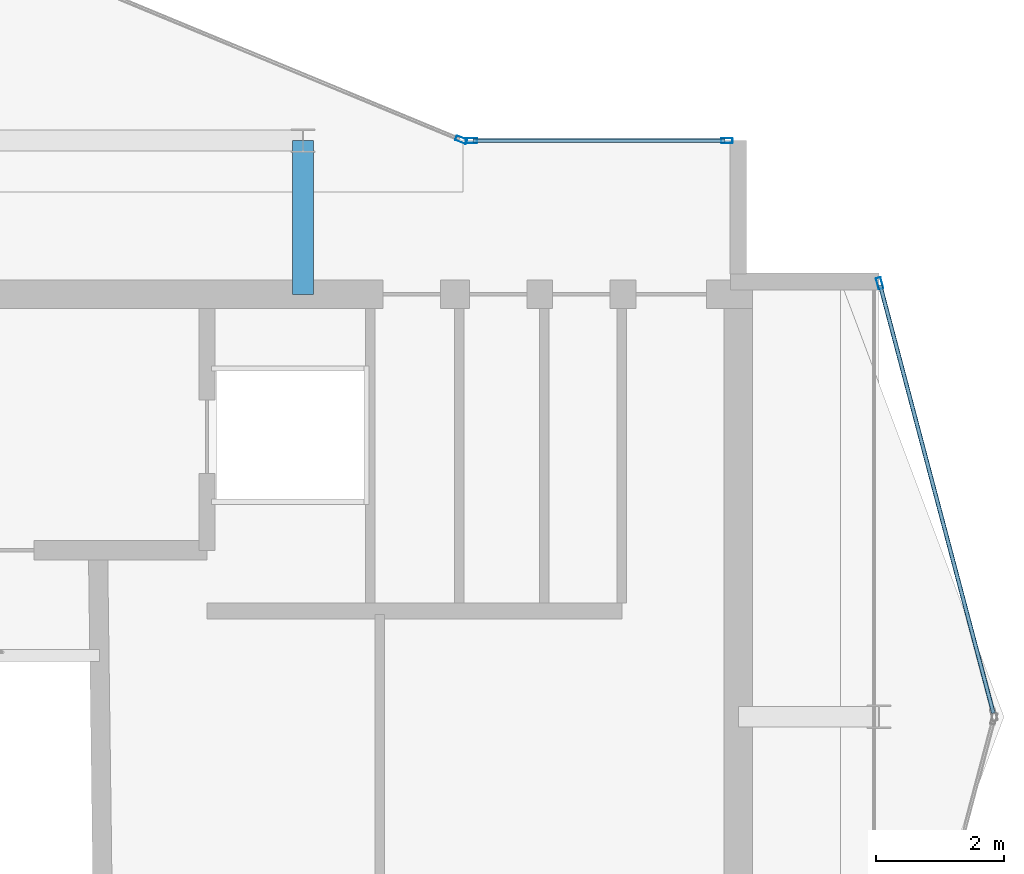
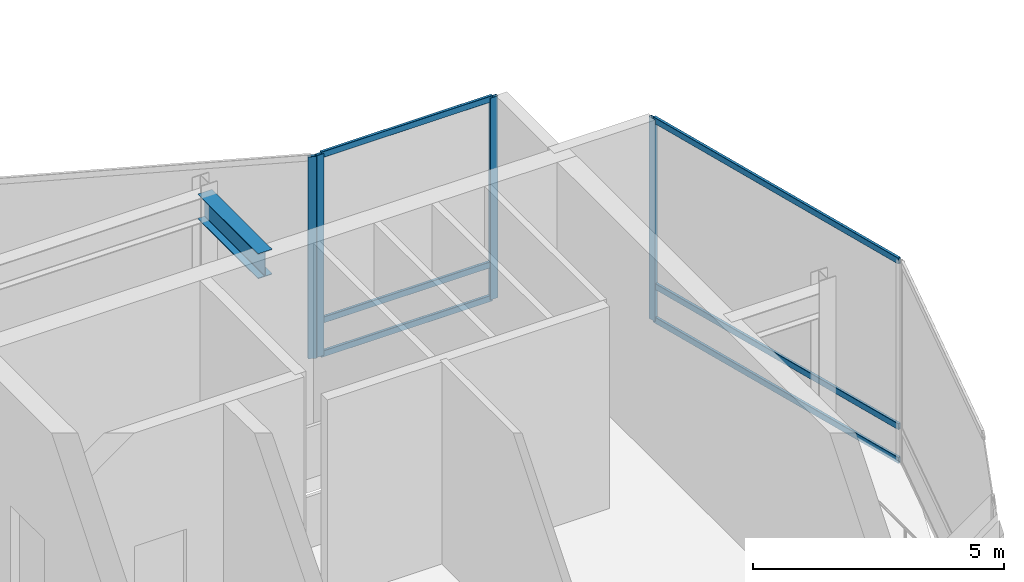
# One storey, part 12 of 19: 10 members, 1 beam, 3 elements without a shape of their own.
"""IFC4 building model written with IfcOpenShell, lengths in metres."""

from ifc_helpers import new_model, si_unit, direction, frame, origin, origin_2d, place, context, subcontext, project, spatial, hollow_rectangle, i_section, extrude, material, layer, layer_set, material_profile, profile_set, type_object, element, aggregate, save


model = new_model("IFC4")

# Units and contexts
model_context = context("Model", 3, precision=1e-05, world=origin(), true_north=direction((0.0, 1.0)))
body_context = subcontext(model_context, "Body", "Model", "MODEL_VIEW")
ifc_project = project(units=[si_unit("LENGTHUNIT", "METRE"), si_unit("AREAUNIT", "SQUARE_METRE"), si_unit("VOLUMEUNIT", "CUBIC_METRE"), si_unit("PLANEANGLEUNIT", "RADIAN"), si_unit("MASSUNIT", "GRAM", prefix="KILO")], contexts=[model_context])

# Site, building, storey
site_placement = place(None, origin())
site = spatial("IfcSite", under=ifc_project, at=site_placement, CompositionType="ELEMENT")
building_placement = place(site_placement, origin())
building = spatial("IfcBuilding", under=site, at=building_placement, Name="Solvaryn Broadcast Tower", CompositionType="ELEMENT")
storey_placement = place(building_placement, frame((0.0, 0.0, 302.60009765625)))
storey = spatial("IfcBuildingStorey", under=building, at=storey_placement, Name="L76", CompositionType="ELEMENT", Elevation=302.60009765625)

# Beam
ifc_material_1 = material(Name="Steel ASTM A992 Grade 50", Category="steel")
ifc_material_profile_1 = material_profile(ifc_material_1, i_section(OverallWidth=0.323974609375, OverallDepth=0.611083984375, WebThickness=0.0126953125, FlangeThickness=0.01904296875, FilletRadius=0.014892578125, at=origin_2d()))
ifc_profile_set_1 = profile_set([ifc_material_profile_1], Name="Steel ASTM A992 Grade 50")
beam_type = type_object("IfcBeamType", Name="BM-B1-W24X104", PredefinedType="BEAM", material=ifc_profile_set_1)
beam_placement = place(storey_placement, frame((36.0, 24.60009765625, 4.594482421875), z_axis=(0.0, 1.0, 0.0), x_axis=(-1.0, 0.0, 0.0)))
element("IfcBeam", 1, at=beam_placement, inside=storey, type_object=beam_type, Name="L76 Core Tie Beam CTE2", PredefinedType="BEAM", context=body_context, shape_type="SweptSolid", body=[
    extrude(i_section(OverallWidth=0.323974609375, OverallDepth=0.611083984375, WebThickness=0.0126953125, FlangeThickness=0.01904296875, FilletRadius=0.014892578125, at=origin_2d()), origin(), (0.0, 0.0, 1.0), 2.39990234375),
])

# Curtain wall, member
ifc_material_2 = material(Name="Aluminium and Terracotta Unitised Curtain Wall", Category="masonry")
ifc_layer = layer(ifc_material_2, 0.260009765625)
ifc_layer_set = layer_set([ifc_layer], Name="CW-SYS5-DAMPER")
curtain_wall_type = type_object("IfcCurtainWallType", Name="CW-SYS5-DAMPER", PredefinedType="NOTDEFINED", material=ifc_layer_set)
curtain_wall_1_placement = place(storey_placement, origin())
curtain_wall_1 = element("IfcCurtainWall", 2, at=curtain_wall_1_placement, inside=storey, type_object=curtain_wall_type, Name="L76 Curtain Wall CN1", PredefinedType="NOTDEFINED")
ifc_material_3 = material(Name="Anodised Aluminium 6063-T6", Category="aluminium")
ifc_material_profile_2 = material_profile(ifc_material_3, hollow_rectangle(XDim=0.074951171875, YDim=0.179931640625, WallThickness=0.00390625, InnerFilletRadius=0.00390625, OuterFilletRadius=0.008056640625, at=origin_2d()))
ifc_profile_set_2 = profile_set([ifc_material_profile_2], Name="Anodised Aluminium 6063-T6")
member_type_1 = type_object("IfcMemberType", Name="CW-MUL-180", PredefinedType="MULLION", material=ifc_profile_set_2)
member_1_placement = place(storey_placement, frame((38.47216796875, 27.011474609375, 0.0), z_axis=(0.0, 0.0, 1.0), x_axis=(-0.382646127145, -0.923894983957, 0.0)))
member_1 = element("IfcMember", 3, at=member_1_placement, type_object=member_type_1, Name="CWS5 mullion 1", PredefinedType="MULLION", context=body_context, shape_type="SweptSolid", body=[
    extrude(hollow_rectangle(XDim=0.074951171875, YDim=0.179931640625, WallThickness=0.00390625, InnerFilletRadius=0.00390625, OuterFilletRadius=0.008056640625, at=origin_2d()), origin(), (0.0, 0.0, 1.0), 4.89990234375),
])
aggregate(curtain_wall_1, [member_1])

curtain_wall_2_placement = place(storey_placement, origin())
curtain_wall_2 = element("IfcCurtainWall", 4, at=curtain_wall_2_placement, inside=storey, type_object=curtain_wall_type, Name="L76 Curtain Wall ET1", PredefinedType="NOTDEFINED")
member_2_placement = place(storey_placement, frame((45.007568359375, 24.77099609375, 0.0), z_axis=(0.0, 0.0, 1.0), x_axis=(0.966705227863, 0.25589256031, 0.0)))
member_2 = element("IfcMember", 5, at=member_2_placement, type_object=member_type_1, Name="CWS5 mullion 1", PredefinedType="MULLION", context=body_context, shape_type="SweptSolid", body=[
    extrude(hollow_rectangle(XDim=0.074951171875, YDim=0.179931640625, WallThickness=0.00390625, InnerFilletRadius=0.00390625, OuterFilletRadius=0.008056640625, at=origin_2d()), origin(), (0.0, 0.0, 1.0), 4.89990234375),
])

# Curtain wall, members
curtain_wall_3_placement = place(storey_placement, origin())
curtain_wall_3 = element("IfcCurtainWall", 6, at=curtain_wall_3_placement, inside=storey, type_object=curtain_wall_type, Name="L76 Curtain Wall IH", PredefinedType="NOTDEFINED")
member_3_placement = place(storey_placement, frame((38.6298828125, 27.0, 0.0), z_axis=(0.0, 0.0, 1.0), x_axis=(0.0, 1.0, 0.0)))
member_3 = element("IfcMember", 7, at=member_3_placement, type_object=member_type_1, Name="CWS5 mullion 1", PredefinedType="MULLION", context=body_context, shape_type="SweptSolid", body=[
    extrude(hollow_rectangle(XDim=0.074951171875, YDim=0.179931640625, WallThickness=0.00390625, InnerFilletRadius=0.00390625, OuterFilletRadius=0.008056640625, at=origin_2d()), origin(), (0.0, 0.0, 1.0), 4.89990234375),
])
member_4_placement = place(storey_placement, frame((42.6201171875, 27.0, 0.0), z_axis=(0.0, 0.0, 1.0), x_axis=(0.0, 1.0, 0.0)))
member_4 = element("IfcMember", 8, at=member_4_placement, type_object=member_type_1, Name="CWS5 mullion 2", PredefinedType="MULLION", context=body_context, shape_type="SweptSolid", body=[
    extrude(hollow_rectangle(XDim=0.074951171875, YDim=0.179931640625, WallThickness=0.00390625, InnerFilletRadius=0.00390625, OuterFilletRadius=0.008056640625, at=origin_2d()), origin(), (0.0, 0.0, 1.0), 4.89990234375),
])

# Member
ifc_material_4 = material(Name="Anodised Aluminium 6063-T6", Category="aluminium")
ifc_material_profile_3 = material_profile(ifc_material_4, hollow_rectangle(XDim=0.06494140625, YDim=0.14990234375, WallThickness=0.00390625, InnerFilletRadius=0.00390625, OuterFilletRadius=0.008056640625, at=origin_2d()))
ifc_profile_set_3 = profile_set([ifc_material_profile_3], Name="Anodised Aluminium 6063-T6")
member_type_2 = type_object("IfcMemberType", Name="CW-TRN-150", PredefinedType="USERDEFINED", material=ifc_profile_set_3)
member_5_placement = place(storey_placement, frame((45.015380859375, 24.741943359375, 0.02978515625), z_axis=(0.255897413051, -0.966703943301, 0.0), x_axis=(0.966703943301, 0.255897413051, 0.0)))
member_5 = element("IfcMember", 9, at=member_5_placement, type_object=member_type_2, Name="CWS5 transom 1.1", ObjectType="TRANSOM", PredefinedType="USERDEFINED", context=body_context, shape_type="SweptSolid", body=[
    extrude(hollow_rectangle(XDim=0.06494140625, YDim=0.14990234375, WallThickness=0.00390625, InnerFilletRadius=0.00390625, OuterFilletRadius=0.008056640625, at=origin_2d()), origin(), (0.0, 0.0, 1.0), 6.9140625),
])

member_6_placement = place(storey_placement, frame((45.015380859375, 24.741943359375, 0.849853515625), z_axis=(0.255897413051, -0.966703943301, 0.0), x_axis=(0.966703943301, 0.255897413051, 0.0)))
member_6 = element("IfcMember", 10, at=member_6_placement, type_object=member_type_2, Name="CWS5 transom 1.2", ObjectType="TRANSOM", PredefinedType="USERDEFINED", context=body_context, shape_type="SweptSolid", body=[
    extrude(hollow_rectangle(XDim=0.06494140625, YDim=0.14990234375, WallThickness=0.00390625, InnerFilletRadius=0.00390625, OuterFilletRadius=0.008056640625, at=origin_2d()), origin(), (0.0, 0.0, 1.0), 6.9140625),
])

member_7_placement = place(storey_placement, frame((45.015380859375, 24.741943359375, 4.869873046875), z_axis=(0.255897413051, -0.966703943301, 0.0), x_axis=(0.966703943301, 0.255897413051, 0.0)))
member_7 = element("IfcMember", 11, at=member_7_placement, type_object=member_type_2, Name="CWS5 transom 1.3", ObjectType="TRANSOM", PredefinedType="USERDEFINED", context=body_context, shape_type="SweptSolid", body=[
    extrude(hollow_rectangle(XDim=0.06494140625, YDim=0.14990234375, WallThickness=0.00390625, InnerFilletRadius=0.00390625, OuterFilletRadius=0.008056640625, at=origin_2d()), origin(), (0.0, 0.0, 1.0), 6.9140625),
])

aggregate(curtain_wall_2, [member_2, member_5, member_6, member_7])

member_8_placement = place(storey_placement, frame((38.659912109375, 27.0, 0.02978515625), z_axis=(1.0, 0.0, 0.0), x_axis=(0.0, 1.0, 0.0)))
member_8 = element("IfcMember", 12, at=member_8_placement, type_object=member_type_2, Name="CWS5 transom 1.1", ObjectType="TRANSOM", PredefinedType="USERDEFINED", context=body_context, shape_type="SweptSolid", body=[
    extrude(hollow_rectangle(XDim=0.06494140625, YDim=0.14990234375, WallThickness=0.00390625, InnerFilletRadius=0.00390625, OuterFilletRadius=0.008056640625, at=origin_2d()), origin(), (0.0, 0.0, 1.0), 3.93017578125),
])

member_9_placement = place(storey_placement, frame((38.659912109375, 27.0, 0.849853515625), z_axis=(1.0, 0.0, 0.0), x_axis=(0.0, 1.0, 0.0)))
member_9 = element("IfcMember", 13, at=member_9_placement, type_object=member_type_2, Name="CWS5 transom 1.2", ObjectType="TRANSOM", PredefinedType="USERDEFINED", context=body_context, shape_type="SweptSolid", body=[
    extrude(hollow_rectangle(XDim=0.06494140625, YDim=0.14990234375, WallThickness=0.00390625, InnerFilletRadius=0.00390625, OuterFilletRadius=0.008056640625, at=origin_2d()), origin(), (0.0, 0.0, 1.0), 3.93017578125),
])

member_10_placement = place(storey_placement, frame((38.659912109375, 27.0, 4.869873046875), z_axis=(1.0, 0.0, 0.0), x_axis=(0.0, 1.0, 0.0)))
member_10 = element("IfcMember", 14, at=member_10_placement, type_object=member_type_2, Name="CWS5 transom 1.3", ObjectType="TRANSOM", PredefinedType="USERDEFINED", context=body_context, shape_type="SweptSolid", body=[
    extrude(hollow_rectangle(XDim=0.06494140625, YDim=0.14990234375, WallThickness=0.00390625, InnerFilletRadius=0.00390625, OuterFilletRadius=0.008056640625, at=origin_2d()), origin(), (0.0, 0.0, 1.0), 3.93017578125),
])

aggregate(curtain_wall_3, [member_3, member_4, member_8, member_9, member_10])

save(model, "model.ifc")
